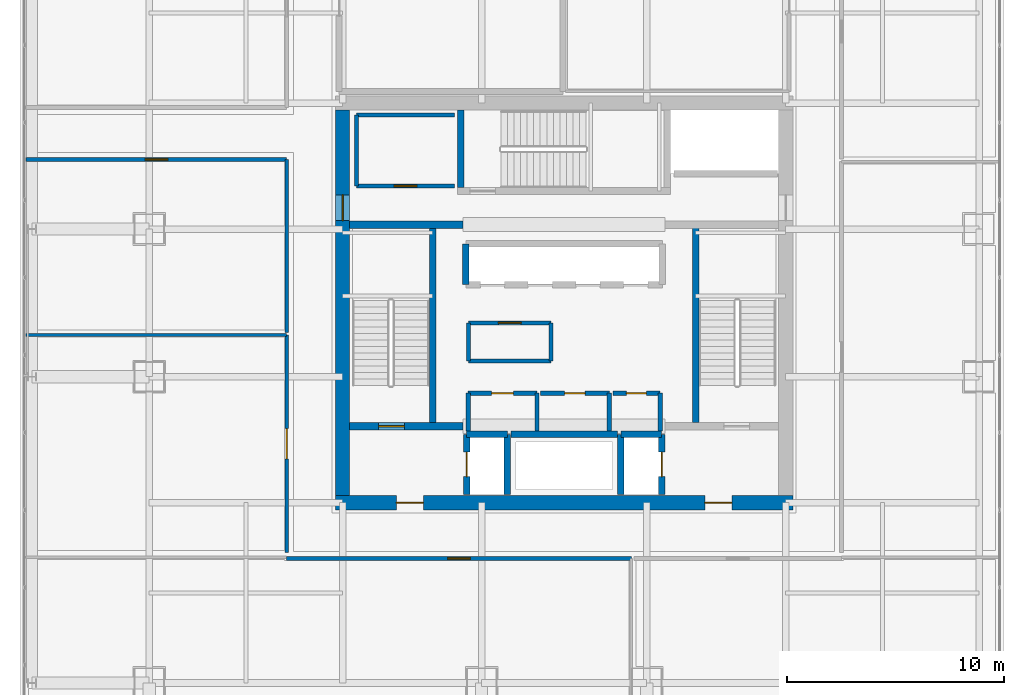
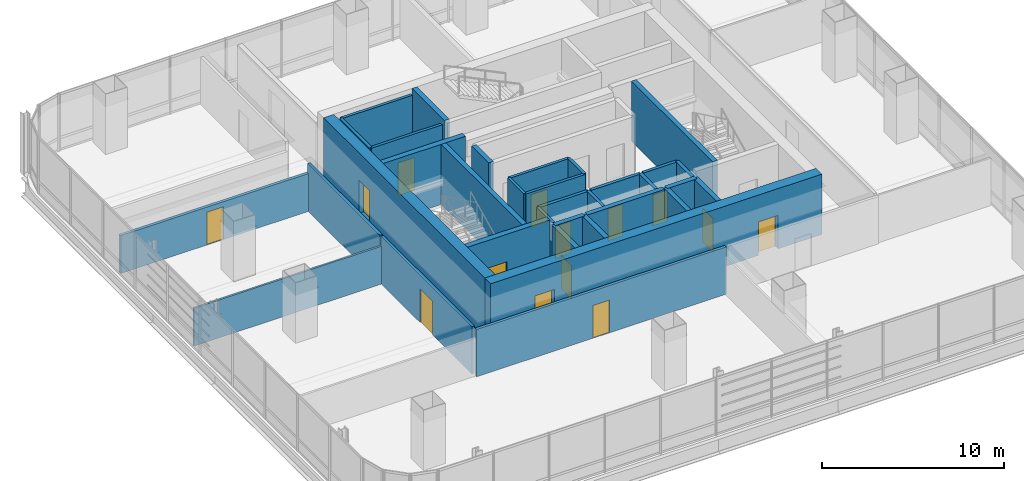
# One storey, part 29 of 36: 34 walls, 14 doors, 14 openings.
"""IFC4 building model written with IfcOpenShell, lengths in metres."""

from ifc_helpers import new_model, si_unit, direction, frame, frame_2d, origin, place, context, subcontext, project, spatial, rectangle, extrude, material, layer, layer_set, type_object, element, fill, save


model = new_model("IFC4")

# Units and contexts
model_context = context("Model", 3, precision=1e-05, world=origin(), true_north=direction((0.0, 1.0)))
body_context = subcontext(model_context, "Body", "Model", "MODEL_VIEW")
ifc_project = project(units=[si_unit("LENGTHUNIT", "METRE"), si_unit("AREAUNIT", "SQUARE_METRE"), si_unit("VOLUMEUNIT", "CUBIC_METRE"), si_unit("PLANEANGLEUNIT", "RADIAN"), si_unit("MASSUNIT", "GRAM", prefix="KILO")], contexts=[model_context])

# Site, building, storey
site_placement = place(None, origin())
site = spatial("IfcSite", under=ifc_project, at=site_placement, CompositionType="ELEMENT")
building_placement = place(site_placement, origin())
building = spatial("IfcBuilding", under=site, at=building_placement, Name="Punatoya Terracotta Tower", CompositionType="ELEMENT")
storey_placement = place(building_placement, frame((0.0, 0.0, 180.300048828125)))
storey = spatial("IfcBuildingStorey", under=building, at=storey_placement, Name="L42", CompositionType="ELEMENT", Elevation=180.300048828125)

# Wall, openings, doors
ifc_material_1 = material(Name="Concrete C60/75", Category="concrete")
ifc_layer_1 = layer(ifc_material_1, 0.64990234375)
ifc_layer_set_1 = layer_set([ifc_layer_1], Name="Concrete C60/75")
wall_type_1 = type_object("IfcWallType", Name="WL-COR-650", PredefinedType="SHEAR", material=ifc_layer_set_1)
wall_1_placement = place(storey_placement, frame((10.52490234375, -9.199951171875, 0.0), z_axis=(0.0, 0.0, 1.0), x_axis=(-1.0, 0.0, 0.0)))
wall_1 = element("IfcWall", 1, at=wall_1_placement, inside=storey, type_object=wall_type_1, Name="L42 Core Shear Wall S", PredefinedType="SHEAR", context=body_context, shape_type="SweptSolid", body=[
    extrude(rectangle(XDim=21.0498046875, YDim=0.64990234375, at=frame_2d((10.52490234375, 0.0))), origin(), (0.0, 0.0, 1.0), 4.050048828125),
])
opening_1_placement = place(wall_1_placement, frame((2.800048828125, 0.0, 0.0)))
opening_1 = element("IfcOpeningElement", 2, at=opening_1_placement, cuts=wall_1, Name="Opening FD-L1", PredefinedType="OPENING", context=body_context, shape_type="SweptSolid", body=[
    extrude(rectangle(XDim=1.25, YDim=2.25, at=frame_2d((0.625, 1.125))), frame((0.0, 0.3349609375, 0.0), z_axis=(0.0, -1.0, 0.0), x_axis=(1.0, 0.0, 0.0)), (0.0, 0.0, 1.0), 0.669921875),
])
opening_2_placement = place(wall_1_placement, frame((17.0, 0.0, 0.0)))
opening_2 = element("IfcOpeningElement", 3, at=opening_2_placement, cuts=wall_1, Name="Opening FD-L1", PredefinedType="OPENING", context=body_context, shape_type="SweptSolid", body=[
    extrude(rectangle(XDim=1.25, YDim=2.25, at=frame_2d((0.625, 1.125))), frame((0.0, 0.3349609375, 0.0), z_axis=(0.0, -1.0, 0.0), x_axis=(1.0, 0.0, 0.0)), (0.0, 0.0, 1.0), 0.669921875),
])
ifc_material_2 = material(Name="Galvanised Steel Smokeproof Fire Door", Category="steel")
door_type_1 = type_object("IfcDoorType", Name="DR-FFL-1250", OperationType="NOTDEFINED", PredefinedType="DOOR", material=ifc_material_2)
door_1_placement = place(opening_1_placement, origin())
door_1 = element("IfcDoor", 4, at=door_1_placement, inside=storey, type_object=door_type_1, Name="L42 East Firefighting Lobby Corridor Fire Door", OperationType="SINGLE_SWING_LEFT", OverallHeight=2.25, OverallWidth=1.25, PredefinedType="DOOR", context=body_context, shape_type="SweptSolid", body=[
    extrude(rectangle(XDim=1.25, YDim=2.25, at=frame_2d((0.625, 1.125))), frame((0.0, 0.02490234375, 0.0), z_axis=(0.0, -1.0, 0.0), x_axis=(1.0, 0.0, 0.0)), (0.0, 0.0, 1.0), 0.050048828125),
])
fill(opening_1, door_1)
door_2_placement = place(opening_2_placement, origin())
door_2 = element("IfcDoor", 5, at=door_2_placement, inside=storey, type_object=door_type_1, Name="L42 West Firefighting Lobby Corridor Fire Door", OperationType="SINGLE_SWING_RIGHT", OverallHeight=2.25, OverallWidth=1.25, PredefinedType="DOOR", context=body_context, shape_type="SweptSolid", body=[
    extrude(rectangle(XDim=1.25, YDim=2.25, at=frame_2d((0.625, 1.125))), frame((0.0, 0.02490234375, 0.0), z_axis=(0.0, -1.0, 0.0), x_axis=(1.0, 0.0, 0.0)), (0.0, 0.0, 1.0), 0.050048828125),
])
fill(opening_2, door_2)

# Wall, opening, door
wall_2_placement = place(storey_placement, frame((-10.199951171875, -8.875, 0.0), z_axis=(0.0, 0.0, 1.0), x_axis=(0.0, 1.0, 0.0)))
wall_2 = element("IfcWall", 6, at=wall_2_placement, inside=storey, type_object=wall_type_1, Name="L42 Core Shear Wall W", PredefinedType="SHEAR", context=body_context, shape_type="SweptSolid", body=[
    extrude(rectangle(XDim=17.75, YDim=0.64990234375, at=frame_2d((8.875, 0.0))), origin(), (0.0, 0.0, 1.0), 4.050048828125),
])
opening_3_placement = place(wall_2_placement, frame((12.6650390625, 0.0, 0.0)))
opening_3 = element("IfcOpeningElement", 7, at=opening_3_placement, cuts=wall_2, Name="Opening SD-01", PredefinedType="OPENING", context=body_context, shape_type="SweptSolid", body=[
    extrude(rectangle(XDim=1.179931640625, YDim=2.199951171875, at=frame_2d((0.58984375, 1.10009765625))), frame((0.0, 0.3349609375, 0.0), z_axis=(0.0, -1.0, 0.0), x_axis=(1.0, 0.0, 0.0)), (0.0, 0.0, 1.0), 0.669921875),
])
ifc_material_3 = material(Name="Galvanised Steel Pressurized Stair Fire Door", Category="steel")
door_type_2 = type_object("IfcDoorType", Name="DR-STR-1180", OperationType="NOTDEFINED", PredefinedType="DOOR", material=ifc_material_3)
door_3_placement = place(opening_3_placement, origin())
door_3 = element("IfcDoor", 8, at=door_3_placement, inside=storey, type_object=door_type_2, Name="L42 Central Lift Lobby West Fire Door", OperationType="SINGLE_SWING_LEFT", OverallHeight=2.199951171875, OverallWidth=1.179931640625, PredefinedType="DOOR", context=body_context, shape_type="SweptSolid", body=[
    extrude(rectangle(XDim=1.179931640625, YDim=2.199951171875, at=frame_2d((0.58984375, 1.10009765625))), frame((0.0, 0.02490234375, 0.0), z_axis=(0.0, -1.0, 0.0), x_axis=(1.0, 0.0, 0.0)), (0.0, 0.0, 1.0), 0.050048828125),
])
fill(opening_3, door_3)

# Wall
ifc_material_4 = material(Name="Gypsum Fireboard + Steel Stud", Category="steel")
ifc_layer_2 = layer(ifc_material_4, 0.179931640625)
ifc_layer_set_2 = layer_set([ifc_layer_2], Name="Gypsum Fireboard + Steel Stud")
wall_type_2 = type_object("IfcWallType", Name="WL-CORR-180", PredefinedType="PARTITIONING", material=ifc_layer_set_2)
wall_3_placement = place(storey_placement, frame((-0.60009765625, -2.679931640625, 0.0), z_axis=(0.0, 0.0, 1.0), x_axis=(0.0, 1.0, 0.0)))
element("IfcWall", 9, at=wall_3_placement, inside=storey, type_object=wall_type_2, Name="L42 West Core Archive Office Partition 08", PredefinedType="PARTITIONING", context=body_context, shape_type="SweptSolid", body=[
    extrude(rectangle(XDim=1.760009765625, YDim=0.179931640625, at=frame_2d((0.8798828125, 0.0))), origin(), (0.0, 0.0, 1.0), 3.829833984375),
])

# Wall, opening, door
wall_4_placement = place(storey_placement, frame((-0.60009765625, -0.919921875, 0.0), z_axis=(0.0, 0.0, 1.0), x_axis=(-1.0, 0.0, 0.0)))
wall_4 = element("IfcWall", 10, at=wall_4_placement, inside=storey, type_object=wall_type_2, Name="L42 West Core Archive Office Partition 09", PredefinedType="PARTITIONING", context=body_context, shape_type="SweptSolid", body=[
    extrude(rectangle(XDim=3.7998046875, YDim=0.179931640625, at=frame_2d((1.89990234375, 0.0))), origin(), (0.0, 0.0, 1.0), 3.829833984375),
])
opening_4_placement = place(wall_4_placement, frame((1.375, 0.0, 0.0)))
opening_4 = element("IfcOpeningElement", 11, at=opening_4_placement, cuts=wall_4, Name="Opening OD-01", PredefinedType="OPENING", context=body_context, shape_type="SweptSolid", body=[
    extrude(rectangle(XDim=1.050048828125, YDim=2.199951171875, at=frame_2d((0.52490234375, 1.10009765625))), frame((0.0, 0.099853515625, 0.0), z_axis=(0.0, -1.0, 0.0), x_axis=(1.0, 0.0, 0.0)), (0.0, 0.0, 1.0), 0.199951171875),
])
ifc_material_5 = material(Name="Bengal Teak Solid-Core Leaf")
door_type_3 = type_object("IfcDoorType", Name="DR-OFF-1050", OperationType="NOTDEFINED", PredefinedType="DOOR", material=ifc_material_5)
door_4_placement = place(opening_4_placement, origin())
door_4 = element("IfcDoor", 12, at=door_4_placement, inside=storey, type_object=door_type_3, Name="L42 West Archive Office Door", OperationType="SINGLE_SWING_LEFT", OverallHeight=2.199951171875, OverallWidth=1.050048828125, PredefinedType="DOOR", context=body_context, shape_type="SweptSolid", body=[
    extrude(rectangle(XDim=1.050048828125, YDim=2.199951171875, at=frame_2d((0.52490234375, 1.10009765625))), frame((0.0, 0.02490234375, 0.0), z_axis=(0.0, -1.0, 0.0), x_axis=(1.0, 0.0, 0.0)), (0.0, 0.0, 1.0), 0.050048828125),
])
fill(opening_4, door_4)

# Walls
wall_5_placement = place(storey_placement, frame((-4.39990234375, -0.919921875, 0.0), z_axis=(0.0, 0.0, 1.0), x_axis=(0.0, -1.0, 0.0)))
element("IfcWall", 13, at=wall_5_placement, inside=storey, type_object=wall_type_2, Name="L42 West Core Archive Office Partition 10", PredefinedType="PARTITIONING", context=body_context, shape_type="SweptSolid", body=[
    extrude(rectangle(XDim=1.760009765625, YDim=0.179931640625, at=frame_2d((0.8798828125, 0.0))), origin(), (0.0, 0.0, 1.0), 3.829833984375),
])
wall_6_placement = place(storey_placement, frame((-4.39990234375, -2.679931640625, 0.0), z_axis=(0.0, 0.0, 1.0), x_axis=(1.0, 0.0, 0.0)))
element("IfcWall", 14, at=wall_6_placement, inside=storey, type_object=wall_type_2, Name="L42 West Core Archive Office Partition 11", PredefinedType="PARTITIONING", context=body_context, shape_type="SweptSolid", body=[
    extrude(rectangle(XDim=3.7998046875, YDim=0.179931640625, at=frame_2d((1.89990234375, 0.0))), origin(), (0.0, 0.0, 1.0), 3.829833984375),
])
wall_7_placement = place(storey_placement, frame((-5.050048828125, 8.64990234375, 0.0), z_axis=(0.0, 0.0, 1.0), x_axis=(-1.0, 0.0, 0.0)))
element("IfcWall", 15, at=wall_7_placement, inside=storey, type_object=wall_type_2, Name="L42 West Core Records Office Partition 12", PredefinedType="PARTITIONING", context=body_context, shape_type="SweptSolid", body=[
    extrude(rectangle(XDim=4.5, YDim=0.179931640625, at=frame_2d((2.25, 0.0))), origin(), (0.0, 0.0, 1.0), 3.829833984375),
])
wall_8_placement = place(storey_placement, frame((-9.550048828125, 8.64990234375, 0.0), z_axis=(0.0, 0.0, 1.0), x_axis=(0.0, -1.0, 0.0)))
element("IfcWall", 16, at=wall_8_placement, inside=storey, type_object=wall_type_2, Name="L42 West Core Records Office Partition 13", PredefinedType="PARTITIONING", context=body_context, shape_type="SweptSolid", body=[
    extrude(rectangle(XDim=3.27001953125, YDim=0.179931640625, at=frame_2d((1.635009765625, 0.0))), origin(), (0.0, 0.0, 1.0), 3.829833984375),
])

# Wall, opening, door
wall_9_placement = place(storey_placement, frame((-9.550048828125, 5.3798828125, 0.0), z_axis=(0.0, 0.0, 1.0), x_axis=(1.0, 0.0, 0.0)))
wall_9 = element("IfcWall", 17, at=wall_9_placement, inside=storey, type_object=wall_type_2, Name="L42 West Core Records Office Partition 14", PredefinedType="PARTITIONING", context=body_context, shape_type="SweptSolid", body=[
    extrude(rectangle(XDim=4.5, YDim=0.179931640625, at=frame_2d((2.25, 0.0))), origin(), (0.0, 0.0, 1.0), 3.829833984375),
])
opening_5_placement = place(wall_9_placement, frame((1.72509765625, 0.0, 0.0)))
opening_5 = element("IfcOpeningElement", 18, at=opening_5_placement, cuts=wall_9, Name="Opening OD-01", PredefinedType="OPENING", context=body_context, shape_type="SweptSolid", body=[
    extrude(rectangle(XDim=1.050048828125, YDim=2.199951171875, at=frame_2d((0.52490234375, 1.10009765625))), frame((0.0, 0.099853515625, 0.0), z_axis=(0.0, -1.0, 0.0), x_axis=(1.0, 0.0, 0.0)), (0.0, 0.0, 1.0), 0.199951171875),
])
door_5_placement = place(opening_5_placement, origin())
door_5 = element("IfcDoor", 19, at=door_5_placement, inside=storey, type_object=door_type_3, Name="L42 West Records Office Door", OperationType="SINGLE_SWING_RIGHT", OverallHeight=2.199951171875, OverallWidth=1.050048828125, PredefinedType="DOOR", context=body_context, shape_type="SweptSolid", body=[
    extrude(rectangle(XDim=1.050048828125, YDim=2.199951171875, at=frame_2d((0.52490234375, 1.10009765625))), frame((0.0, 0.02490234375, 0.0), z_axis=(0.0, -1.0, 0.0), x_axis=(1.0, 0.0, 0.0)), (0.0, 0.0, 1.0), 0.050048828125),
])
fill(opening_5, door_5)

wall_10_placement = place(storey_placement, frame((-12.77001953125, -11.77001953125, 0.0), z_axis=(0.0, 0.0, 1.0), x_axis=(1.0, 0.0, 0.0)))
wall_10 = element("IfcWall", 20, at=wall_10_placement, inside=storey, type_object=wall_type_2, Name="L42 Staff Wellness Studio Partition 16", PredefinedType="PARTITIONING", context=body_context, shape_type="SweptSolid", body=[
    extrude(rectangle(XDim=15.865966796875, YDim=0.179931640625, at=frame_2d((7.93310546875, 0.0))), origin(), (0.0, 0.0, 1.0), 3.174072265625),
])
opening_6_placement = place(wall_10_placement, frame((7.407958984375, 0.0, 0.0)))
opening_6 = element("IfcOpeningElement", 21, at=opening_6_placement, cuts=wall_10, Name="Opening OD-01", PredefinedType="OPENING", context=body_context, shape_type="SweptSolid", body=[
    extrude(rectangle(XDim=1.050048828125, YDim=2.199951171875, at=frame_2d((0.52490234375, 1.10009765625))), frame((0.0, 0.099853515625, 0.0), z_axis=(0.0, -1.0, 0.0), x_axis=(1.0, 0.0, 0.0)), (0.0, 0.0, 1.0), 0.199951171875),
])
door_6_placement = place(opening_6_placement, origin())
door_6 = element("IfcDoor", 22, at=door_6_placement, inside=storey, type_object=door_type_3, Name="L42 Staff Wellness Studio Door", OperationType="SINGLE_SWING_LEFT", OverallHeight=2.199951171875, OverallWidth=1.050048828125, PredefinedType="DOOR", context=body_context, shape_type="SweptSolid", body=[
    extrude(rectangle(XDim=1.050048828125, YDim=2.199951171875, at=frame_2d((0.52490234375, 1.10009765625))), frame((0.0, 0.02490234375, 0.0), z_axis=(0.0, -1.0, 0.0), x_axis=(1.0, 0.0, 0.0)), (0.0, 0.0, 1.0), 0.050048828125),
])
fill(opening_6, door_6)

wall_11_placement = place(storey_placement, frame((-12.77001953125, -1.47900390625, 0.0), z_axis=(0.0, 0.0, 1.0), x_axis=(0.0, -1.0, 0.0)))
wall_11 = element("IfcWall", 23, at=wall_11_placement, inside=storey, type_object=wall_type_2, Name="L42 Open-Plan Cultural History Classroom Partition 21", PredefinedType="PARTITIONING", context=body_context, shape_type="SweptSolid", body=[
    extrude(rectangle(XDim=10.010986328125, YDim=0.179931640625, at=frame_2d((5.00537109375, 0.0))), origin(), (0.0, 0.0, 1.0), 3.174072265625),
])
opening_7_placement = place(wall_11_placement, frame((4.305419921875, 0.0, 0.0)))
opening_7 = element("IfcOpeningElement", 24, at=opening_7_placement, cuts=wall_11, Name="Opening BD-01", PredefinedType="OPENING", context=body_context, shape_type="SweptSolid", body=[
    extrude(rectangle(XDim=1.39990234375, YDim=2.25, at=frame_2d((0.699951171875, 1.125))), frame((0.0, 0.099853515625, 0.0), z_axis=(0.0, -1.0, 0.0), x_axis=(1.0, 0.0, 0.0)), (0.0, 0.0, 1.0), 0.199951171875),
])
ifc_material_6 = material(Name="Bengal Teak Acoustic Leaf")
door_type_4 = type_object("IfcDoorType", Name="DR-BRD-1400", OperationType="NOTDEFINED", PredefinedType="DOOR", material=ifc_material_6)
door_7_placement = place(opening_7_placement, origin())
door_7 = element("IfcDoor", 25, at=door_7_placement, inside=storey, type_object=door_type_4, Name="L42 Open-Plan Cultural History Classroom Door", OperationType="SINGLE_SWING_LEFT", OverallHeight=2.25, OverallWidth=1.39990234375, PredefinedType="DOOR", context=body_context, shape_type="SweptSolid", body=[
    extrude(rectangle(XDim=1.39990234375, YDim=2.25, at=frame_2d((0.699951171875, 1.125))), frame((0.0, 0.02490234375, 0.0), z_axis=(0.0, -1.0, 0.0), x_axis=(1.0, 0.0, 0.0)), (0.0, 0.0, 1.0), 0.050048828125),
])
fill(opening_7, door_7)

wall_12_placement = place(storey_placement, frame((-24.77001953125, 6.60009765625, 0.0), z_axis=(0.0, 0.0, 1.0), x_axis=(1.0, 0.0, 0.0)))
wall_12 = element("IfcWall", 26, at=wall_12_placement, inside=storey, type_object=wall_type_2, Name="L42 Open-Plan Nutrition Tea Pantry Partition 24", PredefinedType="PARTITIONING", context=body_context, shape_type="SweptSolid", body=[
    extrude(rectangle(XDim=12.0, YDim=0.179931640625, at=frame_2d((6.0, 0.0))), origin(), (0.0, 0.0, 1.0), 2.5439453125),
])
opening_8_placement = place(wall_12_placement, frame((5.47509765625, 0.0, 0.0)))
opening_8 = element("IfcOpeningElement", 27, at=opening_8_placement, cuts=wall_12, Name="Opening OD-01", PredefinedType="OPENING", context=body_context, shape_type="SweptSolid", body=[
    extrude(rectangle(XDim=1.050048828125, YDim=2.199951171875, at=frame_2d((0.52490234375, 1.10009765625))), frame((0.0, 0.099853515625, 0.0), z_axis=(0.0, -1.0, 0.0), x_axis=(1.0, 0.0, 0.0)), (0.0, 0.0, 1.0), 0.199951171875),
])
door_8_placement = place(opening_8_placement, origin())
door_8 = element("IfcDoor", 28, at=door_8_placement, inside=storey, type_object=door_type_3, Name="L42 Open-Plan Nutrition Tea Pantry Door", OperationType="SINGLE_SWING_LEFT", OverallHeight=2.199951171875, OverallWidth=1.050048828125, PredefinedType="DOOR", context=body_context, shape_type="SweptSolid", body=[
    extrude(rectangle(XDim=1.050048828125, YDim=2.199951171875, at=frame_2d((0.52490234375, 1.10009765625))), frame((0.0, 0.02490234375, 0.0), z_axis=(0.0, -1.0, 0.0), x_axis=(1.0, 0.0, 0.0)), (0.0, 0.0, 1.0), 0.050048828125),
])
fill(opening_8, door_8)

# Walls
wall_13_placement = place(storey_placement, frame((-12.77001953125, 6.60009765625, 0.0), z_axis=(0.0, 0.0, 1.0), x_axis=(0.0, -1.0, 0.0)))
element("IfcWall", 29, at=wall_13_placement, inside=storey, type_object=wall_type_2, Name="L42 Open-Plan Nutrition Tea Pantry Partition 25", PredefinedType="PARTITIONING", context=body_context, shape_type="SweptSolid", body=[
    extrude(rectangle(XDim=7.958984375, YDim=0.179931640625, at=frame_2d((3.9794921875, 0.0))), origin(), (0.0, 0.0, 1.0), 3.174072265625),
])
ifc_material_7 = material(Name="Concrete C40/50", Category="concrete")
ifc_layer_3 = layer(ifc_material_7, 0.199951171875)
ifc_layer_set_3 = layer_set([ifc_layer_3], Name="Concrete C40/50")
wall_type_3 = type_object("IfcWallType", Name="WL-INT-200", PredefinedType="SOLIDWALL", material=ifc_layer_set_3)
wall_14_placement = place(storey_placement, frame((-1.25, -5.89990234375, 0.0), z_axis=(0.0, 0.0, 1.0), x_axis=(0.0, 1.0, 0.0)))
element("IfcWall", 30, at=wall_14_placement, inside=storey, type_object=wall_type_3, Name="L42 Accessible Universal Washroom Partition 01", PredefinedType="SOLIDWALL", context=body_context, shape_type="SweptSolid", body=[
    extrude(rectangle(XDim=1.739990234375, YDim=0.199951171875, at=frame_2d((0.8701171875, 0.0))), origin(), (0.0, 0.0, 1.0), 3.829833984375),
])

# Wall, opening, door
wall_15_placement = place(storey_placement, frame((-1.25, -4.159912109375, 0.0), z_axis=(0.0, 0.0, 1.0), x_axis=(-1.0, 0.0, 0.0)))
wall_15 = element("IfcWall", 31, at=wall_15_placement, inside=storey, type_object=wall_type_3, Name="L42 Accessible Universal Washroom Partition 02", PredefinedType="SOLIDWALL", context=body_context, shape_type="SweptSolid", body=[
    extrude(rectangle(XDim=3.169921875, YDim=0.199951171875, at=frame_2d((1.5849609375, 0.0))), origin(), (0.0, 0.0, 1.0), 3.829833984375),
])
opening_9_placement = place(wall_15_placement, frame((1.0849609375, 0.0, 0.0)))
opening_9 = element("IfcOpeningElement", 32, at=opening_9_placement, cuts=wall_15, Name="Opening AWD-1", PredefinedType="OPENING", context=body_context, shape_type="SweptSolid", body=[
    extrude(rectangle(XDim=1.0, YDim=2.14990234375, at=frame_2d((0.5, 1.074951171875))), frame((0.0, 0.10986328125, 0.0), z_axis=(0.0, -1.0, 0.0), x_axis=(1.0, 0.0, 0.0)), (0.0, 0.0, 1.0), 0.219970703125),
])
ifc_material_8 = material(Name="Bengal Teak Accessible WC Leaf")
door_type_5 = type_object("IfcDoorType", Name="DR-ACC-1000", OperationType="NOTDEFINED", PredefinedType="DOOR", material=ifc_material_8)
door_9_placement = place(opening_9_placement, origin())
door_9 = element("IfcDoor", 33, at=door_9_placement, inside=storey, type_object=door_type_5, Name="L42 Accessible Universal Washroom Door", OperationType="SINGLE_SWING_RIGHT", OverallHeight=2.14990234375, OverallWidth=1.0, PredefinedType="DOOR", context=body_context, shape_type="SweptSolid", body=[
    extrude(rectangle(XDim=1.0, YDim=2.14990234375, at=frame_2d((0.5, 1.074951171875))), frame((0.0, 0.02490234375, 0.0), z_axis=(0.0, -1.0, 0.0), x_axis=(1.0, 0.0, 0.0)), (0.0, 0.0, 1.0), 0.050048828125),
])
fill(opening_9, door_9)

# Walls
for number, where, z_axis, x_axis, name in (
    (34, (-4.419921875, -4.159912109375, 0.0), (0.0, 0.0, 1.0), (0.0, -1.0, 0.0), "L42 Accessible Universal Washroom Partition 03"),
    (35, (2.080078125, -5.89990234375, 0.0), (0.0, 0.0, 1.0), (0.0, 1.0, 0.0), "L42 All-Gender Universal Washroom Partition 04"),
):
    element("IfcWall", number, at=place(storey_placement, frame(where, z_axis=z_axis, x_axis=x_axis)), inside=storey, type_object=wall_type_3, Name=name, PredefinedType="SOLIDWALL", context=body_context, shape_type="SweptSolid", body=[
        extrude(rectangle(XDim=1.739990234375, YDim=0.199951171875, at=frame_2d((0.8701171875, 0.0))), origin(), (0.0, 0.0, 1.0), 3.829833984375),
    ])

# Wall, opening, door
wall_16_placement = place(storey_placement, frame((2.080078125, -4.159912109375, 0.0), z_axis=(0.0, 0.0, 1.0), x_axis=(-1.0, 0.0, 0.0)))
wall_16 = element("IfcWall", 36, at=wall_16_placement, inside=storey, type_object=wall_type_3, Name="L42 All-Gender Universal Washroom Partition 05", PredefinedType="SOLIDWALL", context=body_context, shape_type="SweptSolid", body=[
    extrude(rectangle(XDim=3.170166015625, YDim=0.199951171875, at=frame_2d((1.5849609375, 0.0))), origin(), (0.0, 0.0, 1.0), 3.829833984375),
])
opening_10_placement = place(wall_16_placement, frame((1.110107421875, 0.0, 0.0)))
opening_10 = element("IfcOpeningElement", 37, at=opening_10_placement, cuts=wall_16, Name="Opening WD-01", PredefinedType="OPENING", context=body_context, shape_type="SweptSolid", body=[
    extrude(rectangle(XDim=0.949951171875, YDim=2.14990234375, at=frame_2d((0.47509765625, 1.074951171875))), frame((0.0, 0.10986328125, 0.0), z_axis=(0.0, -1.0, 0.0), x_axis=(1.0, 0.0, 0.0)), (0.0, 0.0, 1.0), 0.219970703125),
])
ifc_material_9 = material(Name="Moisture-Resistant Laminate Timber Leaf", Category="wood")
door_type_6 = type_object("IfcDoorType", Name="DR-WC-950", OperationType="NOTDEFINED", PredefinedType="DOOR", material=ifc_material_9)
door_10_placement = place(opening_10_placement, origin())
door_10 = element("IfcDoor", 38, at=door_10_placement, inside=storey, type_object=door_type_6, Name="L42 All-Gender Universal Washroom Door", OperationType="SINGLE_SWING_LEFT", OverallHeight=2.14990234375, OverallWidth=0.949951171875, PredefinedType="DOOR", context=body_context, shape_type="SweptSolid", body=[
    extrude(rectangle(XDim=0.949951171875, YDim=2.14990234375, at=frame_2d((0.47509765625, 1.074951171875))), frame((0.0, 0.02490234375, 0.0), z_axis=(0.0, -1.0, 0.0), x_axis=(1.0, 0.0, 0.0)), (0.0, 0.0, 1.0), 0.050048828125),
])
fill(opening_10, door_10)

# Wall
wall_17_placement = place(storey_placement, frame((4.419921875, -5.89990234375, 0.0), z_axis=(0.0, 0.0, 1.0), x_axis=(0.0, 1.0, 0.0)))
element("IfcWall", 39, at=wall_17_placement, inside=storey, type_object=wall_type_3, Name="L42 Core Electrical Switchgear Room Partition 06", PredefinedType="SOLIDWALL", context=body_context, shape_type="SweptSolid", body=[
    extrude(rectangle(XDim=1.739990234375, YDim=0.199951171875, at=frame_2d((0.8701171875, 0.0))), origin(), (0.0, 0.0, 1.0), 3.829833984375),
])

# Wall, opening, door
wall_18_placement = place(storey_placement, frame((4.419921875, -4.159912109375, 0.0), z_axis=(0.0, 0.0, 1.0), x_axis=(-1.0, 0.0, 0.0)))
wall_18 = element("IfcWall", 40, at=wall_18_placement, inside=storey, type_object=wall_type_3, Name="L42 Core Electrical Switchgear Room Partition 07", PredefinedType="SOLIDWALL", context=body_context, shape_type="SweptSolid", body=[
    extrude(rectangle(XDim=2.179931640625, YDim=0.199951171875, at=frame_2d((1.08984375, 0.0))), origin(), (0.0, 0.0, 1.0), 3.829833984375),
])
opening_11_placement = place(wall_18_placement, frame((0.6298828125, 0.0, 0.0)))
opening_11 = element("IfcOpeningElement", 41, at=opening_11_placement, cuts=wall_18, Name="Opening FD-R1", PredefinedType="OPENING", context=body_context, shape_type="SweptSolid", body=[
    extrude(rectangle(XDim=0.919921875, YDim=2.10009765625, at=frame_2d((0.4599609375, 1.050048828125))), frame((0.0, 0.10986328125, 0.0), z_axis=(0.0, -1.0, 0.0), x_axis=(1.0, 0.0, 0.0)), (0.0, 0.0, 1.0), 0.219970703125),
])
ifc_material_10 = material(Name="Galvanised Steel Riser Fire Access Door", Category="steel")
door_type_7 = type_object("IfcDoorType", Name="DR-RSR-920", OperationType="NOTDEFINED", PredefinedType="DOOR", material=ifc_material_10)
door_11_placement = place(opening_11_placement, origin())
door_11 = element("IfcDoor", 42, at=door_11_placement, inside=storey, type_object=door_type_7, Name="L42 Core Electrical Switchgear Room Fire Door", OperationType="SINGLE_SWING_RIGHT", OverallHeight=2.10009765625, OverallWidth=0.919921875, PredefinedType="DOOR", context=body_context, shape_type="SweptSolid", body=[
    extrude(rectangle(XDim=0.919921875, YDim=2.10009765625, at=frame_2d((0.4599609375, 1.050048828125))), frame((0.0, 0.02490234375, 0.0), z_axis=(0.0, -1.0, 0.0), x_axis=(1.0, 0.0, 0.0)), (0.0, 0.0, 1.0), 0.050048828125),
])
fill(opening_11, door_11)

# Walls
ifc_material_11 = material(Name="Gypsum Partition + Steel Stud", Category="steel")
ifc_layer_4 = layer(ifc_material_11, 0.1201171875)
ifc_layer_set_4 = layer_set([ifc_layer_4], Name="Gypsum Partition + Steel Stud")
wall_type_4 = type_object("IfcWallType", Name="WL-OFF-120", PredefinedType="PARTITIONING", material=ifc_layer_set_4)
wall_19_placement = place(storey_placement, frame((-24.77001953125, -1.47900390625, 0.0), z_axis=(0.0, 0.0, 1.0), x_axis=(1.0, 0.0, 0.0)))
element("IfcWall", 43, at=wall_19_placement, inside=storey, type_object=wall_type_4, Name="L42 Open-Plan Cultural History Classroom Partition 20", PredefinedType="PARTITIONING", context=body_context, shape_type="SweptSolid", body=[
    extrude(rectangle(XDim=12.0, YDim=0.1201171875, at=frame_2d((6.0, 0.0))), origin(), (0.0, 0.0, 1.0), 2.5439453125),
])
ifc_layer_5 = layer(ifc_material_7, 0.300048828125)
ifc_layer_set_5 = layer_set([ifc_layer_5], Name="Concrete C40/50")
wall_type_5 = type_object("IfcWallType", Name="WL-SHF-300", PredefinedType="SOLIDWALL", material=ifc_layer_set_5)
for number, where, z_axis, x_axis, name in (
    (44, (-6.050048828125, -5.5, 0.0), (0.0, 0.0, 1.0), (0.0, 1.0, 0.0), "L42 Structural Stair Shaft Wall SW-ST1-E"),
    (45, (6.050048828125, 3.449951171875, 0.0), (0.0, 0.0, 1.0), (0.0, -1.0, 0.0), "L42 Structural Stair Shaft Wall SW-ST2-W"),
):
    element("IfcWall", number, at=place(storey_placement, frame(where, z_axis=z_axis, x_axis=x_axis)), inside=storey, type_object=wall_type_5, Name=name, PredefinedType="SOLIDWALL", context=body_context, shape_type="SweptSolid", body=[
        extrude(rectangle(XDim=8.949951171875, YDim=0.300048828125, at=frame_2d((4.47509765625, 0.0))), origin(), (0.0, 0.0, 1.0), 4.050048828125),
    ])
wall_20_placement = place(storey_placement, frame((-4.75, 5.300048828125, 0.0), z_axis=(0.0, 0.0, 1.0), x_axis=(0.0, 1.0, 0.0)))
element("IfcWall", 46, at=wall_20_placement, inside=storey, type_object=wall_type_5, Name="L42 Structural Stair Shaft Wall SW-ST3-W", PredefinedType="SOLIDWALL", context=body_context, shape_type="SweptSolid", body=[
    extrude(rectangle(XDim=3.574951171875, YDim=0.300048828125, at=frame_2d((1.78759765625, 0.0))), origin(), (0.0, 0.0, 1.0), 4.050048828125),
])

# Wall, opening, door
wall_21_placement = place(storey_placement, frame((-4.489990234375, -8.820068359375, 0.0), z_axis=(0.0, 0.0, 1.0), x_axis=(0.0, 1.0, 0.0)))
wall_21 = element("IfcWall", 47, at=wall_21_placement, inside=storey, type_object=wall_type_5, Name="L42 FFL-1 Front Hoistway Wall", PredefinedType="SOLIDWALL", context=body_context, shape_type="SweptSolid", body=[
    extrude(rectangle(XDim=2.77001953125, YDim=0.300048828125, at=frame_2d((1.385009765625, 0.0))), origin(), (0.0, 0.0, 1.0), 3.829833984375),
])
opening_12_placement = place(wall_21_placement, frame((0.824951171875, 0.0, 0.0)))
opening_12 = element("IfcOpeningElement", 48, at=opening_12_placement, cuts=wall_21, Name="Opening LD-02", PredefinedType="OPENING", context=body_context, shape_type="SweptSolid", body=[
    extrude(rectangle(XDim=1.1201171875, YDim=2.25, at=frame_2d((0.56005859375, 1.125))), frame((0.0, 0.159912109375, 0.0), z_axis=(0.0, -1.0, 0.0), x_axis=(1.0, 0.0, 0.0)), (0.0, 0.0, 1.0), 0.320068359375),
])
ifc_material_12 = material(Name="Stainless Steel Lift Landing Door", Category="steel")
door_type_8 = type_object("IfcDoorType", Name="DR-LND-1120", OperationType="NOTDEFINED", PredefinedType="DOOR", material=ifc_material_12)
door_12_placement = place(opening_12_placement, origin())
door_12 = element("IfcDoor", 49, at=door_12_placement, inside=storey, type_object=door_type_8, Name="L42 Firefighting Lift FFL-1 Sliding Landing Door", OperationType="SLIDING_TO_LEFT", OverallHeight=2.25, OverallWidth=1.1201171875, PredefinedType="DOOR", context=body_context, shape_type="SweptSolid", body=[
    extrude(rectangle(XDim=1.1201171875, YDim=2.25, at=frame_2d((0.56005859375, 1.125))), frame((0.0, 0.02490234375, 0.0), z_axis=(0.0, -1.0, 0.0), x_axis=(1.0, 0.0, 0.0)), (0.0, 0.0, 1.0), 0.050048828125),
])
fill(opening_12, door_12)

# Walls
wall_22_placement = place(storey_placement, frame((-2.610107421875, -8.820068359375, 0.0), z_axis=(0.0, 0.0, 1.0), x_axis=(0.0, 1.0, 0.0)))
element("IfcWall", 50, at=wall_22_placement, inside=storey, type_object=wall_type_5, Name="L42 FFL-1 Rear Hoistway Wall", PredefinedType="SOLIDWALL", context=body_context, shape_type="SweptSolid", body=[
    extrude(rectangle(XDim=2.77001953125, YDim=0.300048828125, at=frame_2d((1.385009765625, 0.0))), origin(), (0.0, 0.0, 1.0), 3.829833984375),
])
wall_23_placement = place(storey_placement, frame((-4.489990234375, -6.050048828125, 0.0), z_axis=(0.0, 0.0, 1.0), x_axis=(1.0, 0.0, 0.0)))
element("IfcWall", 51, at=wall_23_placement, inside=storey, type_object=wall_type_5, Name="L42 FFL-1 North Hoistway Wall", PredefinedType="SOLIDWALL", context=body_context, shape_type="SweptSolid", body=[
    extrude(rectangle(XDim=1.8798828125, YDim=0.300048828125, at=frame_2d((0.93994140625, 0.0))), origin(), (0.0, 0.0, 1.0), 3.829833984375),
])

# Wall, opening, door
wall_24_placement = place(storey_placement, frame((4.489990234375, -8.820068359375, 0.0), z_axis=(0.0, 0.0, 1.0), x_axis=(0.0, 1.0, 0.0)))
wall_24 = element("IfcWall", 52, at=wall_24_placement, inside=storey, type_object=wall_type_5, Name="L42 FFL-2 Front Hoistway Wall", PredefinedType="SOLIDWALL", context=body_context, shape_type="SweptSolid", body=[
    extrude(rectangle(XDim=2.77001953125, YDim=0.300048828125, at=frame_2d((1.385009765625, 0.0))), origin(), (0.0, 0.0, 1.0), 3.829833984375),
])
opening_13_placement = place(wall_24_placement, frame((0.824951171875, 0.0, 0.0)))
opening_13 = element("IfcOpeningElement", 53, at=opening_13_placement, cuts=wall_24, Name="Opening LD-02", PredefinedType="OPENING", context=body_context, shape_type="SweptSolid", body=[
    extrude(rectangle(XDim=1.1201171875, YDim=2.25, at=frame_2d((0.56005859375, 1.125))), frame((0.0, 0.159912109375, 0.0), z_axis=(0.0, -1.0, 0.0), x_axis=(1.0, 0.0, 0.0)), (0.0, 0.0, 1.0), 0.320068359375),
])
door_13_placement = place(opening_13_placement, origin())
door_13 = element("IfcDoor", 54, at=door_13_placement, inside=storey, type_object=door_type_8, Name="L42 Firefighting Lift FFL-2 Sliding Landing Door", OperationType="SLIDING_TO_RIGHT", OverallHeight=2.25, OverallWidth=1.1201171875, PredefinedType="DOOR", context=body_context, shape_type="SweptSolid", body=[
    extrude(rectangle(XDim=1.1201171875, YDim=2.25, at=frame_2d((0.56005859375, 1.125))), frame((0.0, 0.02490234375, 0.0), z_axis=(0.0, -1.0, 0.0), x_axis=(1.0, 0.0, 0.0)), (0.0, 0.0, 1.0), 0.050048828125),
])
fill(opening_13, door_13)

# Walls
wall_25_placement = place(storey_placement, frame((2.610107421875, -8.820068359375, 0.0), z_axis=(0.0, 0.0, 1.0), x_axis=(0.0, 1.0, 0.0)))
element("IfcWall", 55, at=wall_25_placement, inside=storey, type_object=wall_type_5, Name="L42 FFL-2 Rear Hoistway Wall", PredefinedType="SOLIDWALL", context=body_context, shape_type="SweptSolid", body=[
    extrude(rectangle(XDim=2.77001953125, YDim=0.300048828125, at=frame_2d((1.385009765625, 0.0))), origin(), (0.0, 0.0, 1.0), 3.829833984375),
])
for number, where, z_axis, x_axis, name in (
    (56, (2.610107421875, -6.050048828125, 0.0), (0.0, 0.0, 1.0), (1.0, 0.0, 0.0), "L42 FFL-2 North Hoistway Wall"),
    (57, (-4.52001953125, 0.840087890625, 0.0), (0.0, 0.0, 1.0), (0.0, 1.0, 0.0), "L42 North Lift Bank West End Wall"),
):
    element("IfcWall", number, at=place(storey_placement, frame(where, z_axis=z_axis, x_axis=x_axis)), inside=storey, type_object=wall_type_5, Name=name, PredefinedType="SOLIDWALL", context=body_context, shape_type="SweptSolid", body=[
        extrude(rectangle(XDim=1.8798828125, YDim=0.300048828125, at=frame_2d((0.93994140625, 0.0))), origin(), (0.0, 0.0, 1.0), 3.829833984375),
    ])
wall_26_placement = place(storey_placement, frame((-2.449951171875, -6.050048828125, 0.0), z_axis=(0.0, 0.0, 1.0), x_axis=(1.0, 0.0, 0.0)))
element("IfcWall", 58, at=wall_26_placement, inside=storey, type_object=wall_type_5, Name="L42 Observation Shuttle Rear Hoistway Wall", PredefinedType="SOLIDWALL", context=body_context, shape_type="SweptSolid", body=[
    extrude(rectangle(XDim=4.89990234375, YDim=0.300048828125, at=frame_2d((2.449951171875, 0.0))), origin(), (0.0, 0.0, 1.0), 3.829833984375),
])

# Wall, opening, door
ifc_material_13 = material(Name="Concrete C50/60", Category="concrete")
ifc_layer_6 = layer(ifc_material_13, 0.35009765625)
ifc_layer_set_6 = layer_set([ifc_layer_6], Name="Concrete C50/60")
wall_type_6 = type_object("IfcWallType", Name="WL-SHF-350", PredefinedType="SOLIDWALL", material=ifc_layer_set_6)
wall_27_placement = place(storey_placement, frame((-9.875, -5.679931640625, 0.0), z_axis=(0.0, 0.0, 1.0), x_axis=(1.0, 0.0, 0.0)))
wall_27 = element("IfcWall", 59, at=wall_27_placement, inside=storey, type_object=wall_type_6, Name="L42 Core Web Wall CSW-L", PredefinedType="SOLIDWALL", context=body_context, shape_type="SweptSolid", body=[
    extrude(rectangle(XDim=5.22509765625, YDim=0.35009765625, at=frame_2d((2.612548828125, 0.0))), origin(), (0.0, 0.0, 1.0), 4.050048828125),
])
opening_14_placement = place(wall_27_placement, frame((1.3349609375, 0.0, 0.0)))
opening_14 = element("IfcOpeningElement", 60, at=opening_14_placement, cuts=wall_27, Name="Opening SD-01", PredefinedType="OPENING", context=body_context, shape_type="SweptSolid", body=[
    extrude(rectangle(XDim=1.179931640625, YDim=2.199951171875, at=frame_2d((0.58984375, 1.10009765625))), frame((0.0, 0.18505859375, 0.0), z_axis=(0.0, -1.0, 0.0), x_axis=(1.0, 0.0, 0.0)), (0.0, 0.0, 1.0), 0.3701171875),
])
door_14_placement = place(opening_14_placement, origin())
door_14 = element("IfcDoor", 61, at=door_14_placement, inside=storey, type_object=door_type_2, Name="L42 Stair ST-1 Smokeproof Lobby Fire Door", OperationType="SINGLE_SWING_LEFT", OverallHeight=2.199951171875, OverallWidth=1.179931640625, PredefinedType="DOOR", context=body_context, shape_type="SweptSolid", body=[
    extrude(rectangle(XDim=1.179931640625, YDim=2.199951171875, at=frame_2d((0.58984375, 1.10009765625))), frame((0.0, 0.02490234375, 0.0), z_axis=(0.0, -1.0, 0.0), x_axis=(1.0, 0.0, 0.0)), (0.0, 0.0, 1.0), 0.050048828125),
])
fill(opening_14, door_14)

# Wall
wall_28_placement = place(storey_placement, frame((-9.875, 3.60009765625, 0.0), z_axis=(0.0, 0.0, 1.0), x_axis=(1.0, 0.0, 0.0)))
element("IfcWall", 62, at=wall_28_placement, inside=storey, type_object=wall_type_6, Name="L42 Core Web Wall CNW-L", PredefinedType="SOLIDWALL", context=body_context, shape_type="SweptSolid", body=[
    extrude(rectangle(XDim=5.22509765625, YDim=0.35009765625, at=frame_2d((2.612548828125, 0.0))), origin(), (0.0, 0.0, 1.0), 4.050048828125),
])

save(model, "model.ifc")
